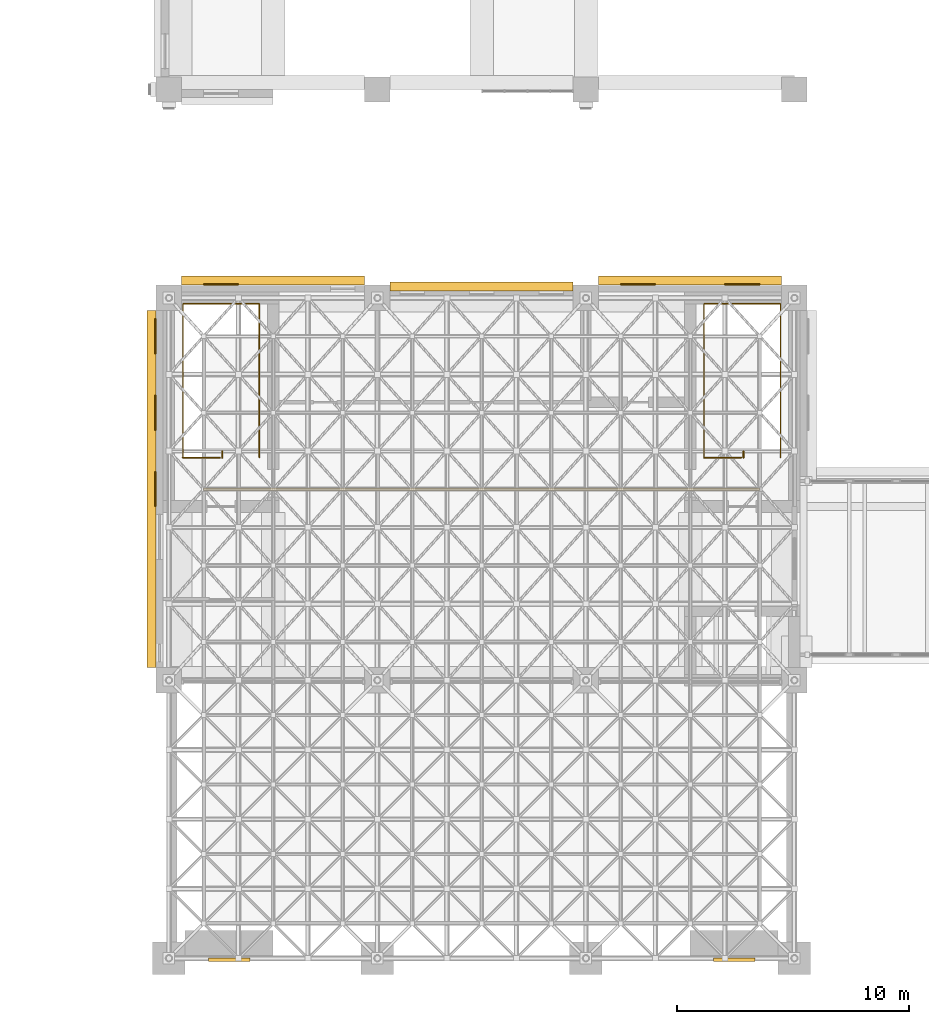
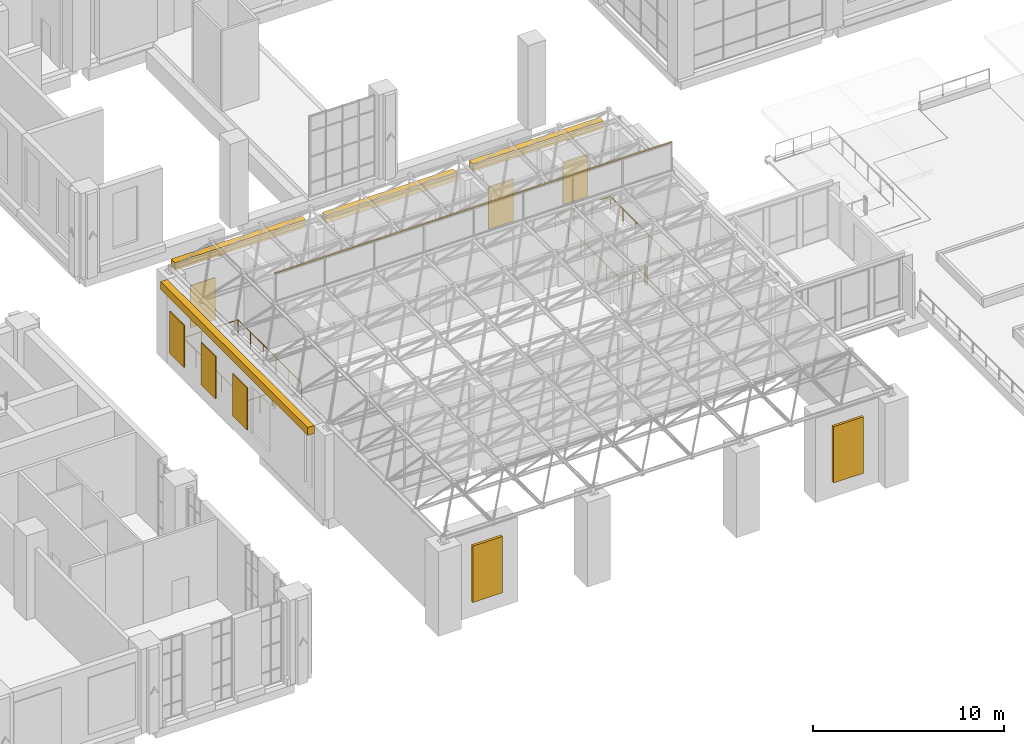
# One storey, part 42 of 53: 13 coverings, 6 railings.
"""IFC4 building model written with IfcOpenShell, lengths in metres."""

import ifcopenshell
import ifcopenshell.guid

model = None  # the IFC model being written
_history = None  # IfcOwnerHistory: only IFC2X3 demands one
_inside = {}  # id of a spatial element -> (the spatial element, [elements in it])
_under = {}  # id of a project, library or spatial element -> (it, [spatial elements below it])
_declared = {}  # id of a project -> (the project, [libraries it declares])
_typed = {}  # id of a type object -> (the type object, [elements of that type])
_made_of = {}  # id of a material, layer set ... -> (it, [elements and type objects made of it])


def new_model(schema):
    """Start an empty IFC model of exactly this schema.

    Asked for "IFC4X3", IfcOpenShell would pick the latest addendum, in which some entities
    have other attributes; the version numbers below select the first issue.
    IFC2X3 requires an IfcOwnerHistory on every rooted entity: one is made here for all.
    """
    global model, _history
    if schema == "IFC4X3":
        model = ifcopenshell.file(schema_version=(4, 3, 0, 0))
    else:
        model = ifcopenshell.file(schema=schema)
    _inside.clear()
    _under.clear()
    _declared.clear()
    _typed.clear()
    _made_of.clear()
    _history = None
    if model.schema == "IFC2X3":
        org = make("IfcOrganization", Name="unknown")
        user = make(
            "IfcPersonAndOrganization",
            ThePerson=make("IfcPerson", FamilyName="unknown"),
            TheOrganization=org,
        )
        app = make(
            "IfcApplication",
            ApplicationDeveloper=org,
            Version="unknown",
            ApplicationFullName="unknown",
            ApplicationIdentifier="unknown",
        )
        _history = make(
            "IfcOwnerHistory",
            OwningUser=user,
            OwningApplication=app,
            ChangeAction="ADDED",
            CreationDate=0,
        )
    return model


def make(cls, **values):
    """One entity of the class cls with the attributes given. An attribute that is None is left unset."""
    return model.create_entity(
        cls, **{name: value for name, value in values.items() if value is not None}
    )


def rooted(cls, **values):
    """An entity with a GlobalId (a new one), such as an element, a storey or a relation."""
    return make(cls, GlobalId=ifcopenshell.guid.new(), OwnerHistory=_history, **values)


def si_unit(unit_type, name, prefix=None):
    """IfcSIUnit, for example si_unit("LENGTHUNIT", "METRE", prefix="MILLI")."""
    return make("IfcSIUnit", UnitType=unit_type, Prefix=prefix, Name=name)


def assignment(units):
    """IfcUnitAssignment: the units of a project."""
    return None if units is None else make("IfcUnitAssignment", Units=units)


def point(xyz):
    """IfcCartesianPoint."""
    return None if xyz is None else make("IfcCartesianPoint", Coordinates=xyz)


def direction(xyz):
    """IfcDirection."""
    return None if xyz is None else make("IfcDirection", DirectionRatios=xyz)


def frame(location, z_axis=None, x_axis=None):
    """IfcAxis2Placement3D, a coordinate frame: its origin and axes. An axis left out is left unset."""
    return make(
        "IfcAxis2Placement3D",
        Location=point(location),
        Axis=direction(z_axis),
        RefDirection=direction(x_axis),
    )


def frame_2d(location, x_axis=None):
    """IfcAxis2Placement2D, a coordinate frame in the plane: its origin and x axis."""
    return make(
        "IfcAxis2Placement2D", Location=point(location), RefDirection=direction(x_axis)
    )


def origin():
    """The frame at (0, 0, 0) with its axes left unset."""
    return frame((0.0, 0.0, 0.0))


def origin_2d():
    """The frame at (0, 0) in the plane with its x axis left unset."""
    return frame_2d((0.0, 0.0))


def place(relative_to, where):
    """IfcLocalPlacement: puts the frame where relative to a parent placement (None: the world)."""
    return make(
        "IfcLocalPlacement", PlacementRelTo=relative_to, RelativePlacement=where
    )


def context(
    kind, dimensions, precision=None, world=None, true_north=None, identifier=None
):
    """IfcGeometricRepresentationContext, for example the 3D "Model" context."""
    return make(
        "IfcGeometricRepresentationContext",
        ContextIdentifier=identifier,
        ContextType=kind,
        CoordinateSpaceDimension=dimensions,
        Precision=precision,
        WorldCoordinateSystem=world,
        TrueNorth=true_north,
    )


def subcontext(parent, identifier, kind, view, scale=None):
    """IfcGeometricRepresentationSubContext, for example "Body" below "Model"."""
    return make(
        "IfcGeometricRepresentationSubContext",
        ContextIdentifier=identifier,
        ContextType=kind,
        ParentContext=parent,
        TargetScale=scale,
        TargetView=view,
    )


def project(units=None, contexts=None):
    """IfcProject with its units and contexts."""
    return rooted(
        "IfcProject",
        Name="project",
        RepresentationContexts=contexts,
        UnitsInContext=assignment(units),
    )


def spatial(cls, under=None, at=None, **own):
    """A site, building, storey or space (cls), placed at a placement, below another one or the project."""
    s = rooted(cls, ObjectPlacement=at, **own)
    if under is not None:
        _under.setdefault(under.id(), (under, []))[1].append(s)
    return s


def profile(cls, at=None, kind="AREA", **sizes):
    """A parametric profile (cls). Its sizes go by their IFC names, for example OverallWidth=200.0."""
    return make(cls, ProfileType=kind, Position=at, **sizes)


def rectangle(**sizes):
    """IfcRectangleProfileDef."""
    return profile("IfcRectangleProfileDef", **sizes)


def circle(**sizes):
    """IfcCircleProfileDef."""
    return profile("IfcCircleProfileDef", **sizes)


def extrude(swept, where, along, depth):
    """IfcExtrudedAreaSolid: the profile swept, set in the frame where, extruded along a direction by depth."""
    return make(
        "IfcExtrudedAreaSolid",
        SweptArea=swept,
        Position=where,
        ExtrudedDirection=direction(along),
        Depth=depth,
    )


def shape(context_of_items, identifier, shape_type, items):
    """IfcShapeRepresentation: the items that make up one representation, for example the "Body"."""
    return make(
        "IfcShapeRepresentation",
        ContextOfItems=context_of_items,
        RepresentationIdentifier=identifier,
        RepresentationType=shape_type,
        Items=items,
    )


def material(Name=None, Category=None):
    """IfcMaterial."""
    return make("IfcMaterial", Name=Name, Category=Category)


def layer(
    of_material, thickness, ventilated=None, Name=None, Category=None, Priority=None
):
    """IfcMaterialLayer: one layer of a wall or slab, of a material (None: an air gap)."""
    return make(
        "IfcMaterialLayer",
        Material=of_material,
        LayerThickness=thickness,
        IsVentilated=ventilated,
        Name=Name,
        Category=Category,
        Priority=Priority,
    )


def layer_set(layers, Name=None):
    """IfcMaterialLayerSet."""
    return make("IfcMaterialLayerSet", MaterialLayers=layers, LayerSetName=Name)


def made_of(thing, what):
    """Note that an element or type object is made of a material, layer set ...; save() writes the relation."""
    if what is not None:
        _made_of.setdefault(what.id(), (what, []))[1].append(thing)
    return thing


def type_object(cls, material=None, **own):
    """A type object (cls), such as IfcWallType, which elements share."""
    return made_of(rooted(cls, **own), material)


def element(
    cls,
    number,
    at=None,
    inside=None,
    cuts=None,
    type_object=None,
    material=None,
    context=None,
    identifier="Body",
    shape_type=None,
    held_by="IfcProductDefinitionShape",
    body=None,
    shapes=None,
    **own,
):
    """One element of the class cls, such as IfcWall. Its Tag is "e" and its number.

    at: its placement. inside: the storey or other place that contains it. cuts: it is an
    opening in that element (IfcRelVoidsElement). A single representation is given by context,
    identifier, shape_type and body (its items); several are given by shapes. held_by: the class
    of the entity that holds the representations. save() writes the other relations.
    """
    e = rooted(cls, Tag="e%d" % number, ObjectPlacement=at, **own)
    if body is not None:
        shapes = [shape(context, identifier, shape_type, body)]
    if shapes is not None:
        e.Representation = make(held_by, Representations=shapes)
    if inside is not None:
        _inside.setdefault(inside.id(), (inside, []))[1].append(e)
    if cuts is not None:
        rooted(
            "IfcRelVoidsElement", RelatingBuildingElement=cuts, RelatedOpeningElement=e
        )
    if type_object is not None:
        _typed.setdefault(type_object.id(), (type_object, []))[1].append(e)
    return made_of(e, material)


def aggregate(whole, parts):
    """IfcRelAggregates: a whole, such as a stair, and the parts it consists of."""
    return rooted("IfcRelAggregates", RelatingObject=whole, RelatedObjects=parts)


def save(model, path):
    """Write the relations noted so far, then the file.

    IfcRelAggregates (storeys below a building ...), IfcRelContainedInSpatialStructure (elements
    in a storey), IfcRelDefinesByType, IfcRelAssociatesMaterial and IfcRelDeclares: one each for
    every whole, place, type object, material and project.
    """
    for whole, parts in _under.values():
        aggregate(whole, parts)
    for where, things in _inside.values():
        rooted(
            "IfcRelContainedInSpatialStructure",
            RelatedElements=things,
            RelatingStructure=where,
        )
    for kind, things in _typed.values():
        rooted("IfcRelDefinesByType", RelatedObjects=things, RelatingType=kind)
    for what, things in _made_of.values():
        rooted("IfcRelAssociatesMaterial", RelatedObjects=things, RelatingMaterial=what)
    for by, libraries in _declared.values():
        rooted("IfcRelDeclares", RelatingContext=by, RelatedDefinitions=libraries)
    model.write(path)


model = new_model("IFC4")

# Units and contexts
model_context = context("Model", 3, precision=1e-05, world=origin(), true_north=direction((0.0, 1.0)))
body_context = subcontext(model_context, "Body", "Model", "MODEL_VIEW")
ifc_project = project(units=[si_unit("LENGTHUNIT", "METRE"), si_unit("AREAUNIT", "SQUARE_METRE"), si_unit("VOLUMEUNIT", "CUBIC_METRE"), si_unit("PLANEANGLEUNIT", "RADIAN"), si_unit("MASSUNIT", "GRAM", prefix="KILO")], contexts=[model_context])

# Site, building, storey
site_placement = place(None, origin())
site = spatial("IfcSite", under=ifc_project, at=site_placement, CompositionType="ELEMENT")
building_placement = place(site_placement, origin())
building = spatial("IfcBuilding", under=site, at=building_placement, Name="Aurelan Courthouse", CompositionType="ELEMENT")
storey_placement = place(building_placement, frame((0.0, 0.0, 12.0)))
storey = spatial("IfcBuildingStorey", under=building, at=storey_placement, Name="L02", CompositionType="ELEMENT", Elevation=12.0)

# Coverings
ifc_material_1 = material(Name="Bronze sheet cladding")
ifc_layer_1 = layer(ifc_material_1, 0.06005859375)
ifc_layer_set_1 = layer_set([ifc_layer_1], Name="Bronze sheet cladding")
covering_type_1 = type_object("IfcCoveringType", Name="Ceremonial Court blind bay 1500 x 2700", PredefinedType="CLADDING", material=ifc_layer_set_1)
for number, where, z_axis, x_axis, name in (
    (1, (38.25, 29.080078125, 0.89990234375), (0.0, 0.0, 1.0), (1.0, 0.0, 0.0), "Blind bay BB-V1-L02-001"),
    (2, (56.25, 29.080078125, 0.89990234375), (0.0, 0.0, 1.0), (1.0, 0.0, 0.0), "Blind bay BB-V1-L02-002"),
    (3, (60.75, 29.080078125, 0.89990234375), (0.0, 0.0, 1.0), (1.0, 0.0, 0.0), "Blind bay BB-V1-L02-003"),
):
    element("IfcCovering", number, at=place(storey_placement, frame(where, z_axis=z_axis, x_axis=x_axis)), inside=storey, type_object=covering_type_1, Name=name, PredefinedType="CLADDING", context=body_context, shape_type="SweptSolid", body=[
        extrude(rectangle(XDim=1.5, YDim=0.06005859375, at=origin_2d()), origin(), (0.0, 0.0, 1.0), 2.699951171875),
    ])
for number, where, z_axis, x_axis, name in (
    (4, (35.419921875, 20.25, 0.89990234375), (0.0, 0.0, 1.0), (1.0, 0.0, 0.0), "Blind bay BB-V1-L02-006"),
    (5, (35.419921875, 23.550048828125, 0.89990234375), (0.0, 0.0, 1.0), (1.0, 0.0, 0.0), "Blind bay BB-V1-L02-007"),
    (6, (35.419921875, 26.85009765625, 0.89990234375), (0.0, 0.0, 1.0), (1.0, 0.0, 0.0), "Blind bay BB-V1-L02-008"),
):
    element("IfcCovering", number, at=place(storey_placement, frame(where, z_axis=z_axis, x_axis=x_axis)), inside=storey, type_object=covering_type_1, Name=name, PredefinedType="CLADDING", context=body_context, shape_type="SweptSolid", body=[
        extrude(rectangle(XDim=0.06005859375, YDim=1.5, at=origin_2d()), origin(), (0.0, 0.0, 1.0), 2.699951171875),
    ])
ifc_material_2 = material(Name="Limestone cladding", Category="masonry")
covering_type_2 = type_object("IfcCoveringType", Name="Ceremonial Court cornice 500 x 400", PredefinedType="CLADDING", material=ifc_material_2)
covering_1_placement = place(storey_placement, frame((35.25, 20.25, 4.89990234375), z_axis=(0.0, 0.0, 1.0), x_axis=(1.0, 0.0, 0.0)))
element("IfcCovering", 7, at=covering_1_placement, inside=storey, type_object=covering_type_2, Name="Cornice CRN-V1-001", PredefinedType="CLADDING", context=body_context, shape_type="SweptSolid", body=[
    extrude(rectangle(XDim=0.39990234375, YDim=15.39990234375, at=origin_2d()), origin(), (0.0, 0.0, 1.0), 0.5),
])
for number, where, z_axis, x_axis, name in (
    (8, (49.5, 29.0, 4.89990234375), (0.0, 0.0, 1.0), (1.0, 0.0, 0.0), "Cornice CRN-V1-003"),
    (9, (40.5, 29.25, 4.89990234375), (0.0, 0.0, 1.0), (1.0, 0.0, 0.0), "Cornice CRN-V1-004"),
    (10, (58.5, 29.25, 4.89990234375), (0.0, 0.0, 1.0), (1.0, 0.0, 0.0), "Cornice CRN-V1-005"),
):
    element("IfcCovering", number, at=place(storey_placement, frame(where, z_axis=z_axis, x_axis=x_axis)), inside=storey, type_object=covering_type_2, Name=name, PredefinedType="CLADDING", context=body_context, shape_type="SweptSolid", body=[
        extrude(rectangle(XDim=7.89990234375, YDim=0.39990234375, at=origin_2d()), origin(), (0.0, 0.0, 1.0), 0.5),
    ])
ifc_layer_2 = layer(ifc_material_1, 0.050048828125)
ifc_layer_set_2 = layer_set([ifc_layer_2], Name="Bronze sheet cladding")
covering_type_3 = type_object("IfcCoveringType", Name="North light head cap 150 x 50", PredefinedType="CLADDING", material=ifc_layer_set_2)
covering_2_placement = place(storey_placement, frame((49.5, 20.25, 9.7197265625), z_axis=(0.0, 0.0, 1.0), x_axis=(1.0, 0.0, 0.0)))
element("IfcCovering", 11, at=covering_2_placement, inside=storey, type_object=covering_type_3, Name="North light head cap", PredefinedType="CLADDING", context=body_context, shape_type="SweptSolid", body=[
    extrude(rectangle(XDim=24.0, YDim=0.10009765625, at=origin_2d()), origin(), (0.0, 0.0, 1.0), 0.050048828125),
])
ifc_layer_3 = layer(ifc_material_1, 0.14990234375)
ifc_layer_set_3 = layer_set([ifc_layer_3], Name="Bronze sheet cladding")
covering_type_4 = type_object("IfcCoveringType", Name="Relief panel 1800 x 3600 x 150", PredefinedType="CLADDING", material=ifc_layer_set_3)
for number, where, z_axis, x_axis, name in (
    (12, (38.60009765625, -0.074951171875, 1.0), (0.0, 0.0, 1.0), (1.0, 0.0, 0.0), "Relief panel RP-V1-005"),
    (13, (60.39990234375, -0.074951171875, 1.0), (0.0, 0.0, 1.0), (1.0, 0.0, 0.0), "Relief panel RP-V1-006"),
):
    element("IfcCovering", number, at=place(storey_placement, frame(where, z_axis=z_axis, x_axis=x_axis)), inside=storey, type_object=covering_type_4, Name=name, PredefinedType="CLADDING", context=body_context, shape_type="SweptSolid", body=[
        extrude(rectangle(XDim=1.800048828125, YDim=0.14990234375, at=origin_2d()), origin(), (0.0, 0.0, 1.0), 3.60009765625),
    ])

# Railings
ifc_material_3 = material(Name="Steel S355", Category="steel")
railing_type = type_object("IfcRailingType", Name="Stair guard 1100", PredefinedType="GUARDRAIL", material=ifc_material_3)
railing_1_placement = place(storey_placement, frame((60.699951171875, 21.610107421875, 0.0)))
element("IfcRailing", 14, at=railing_1_placement, inside=storey, type_object=railing_type, Name="Guard ST-1E-L02-G1", PredefinedType="GUARDRAIL", context=body_context, shape_type="SweptSolid", body=[
    extrude(circle(Radius=0.02392578125, at=origin_2d()), frame((0.0, 0.0, 1.076171875), z_axis=(-1.0, 0.0, 0.0), x_axis=(0.0, -1.0, 0.0)), (0.0, 0.0, 1.0), 1.599853515625),
    extrude(circle(Radius=0.02099609375, at=origin_2d()), origin(), (0.0, 0.0, 1.0), 1.052001953125),
    extrude(circle(Radius=0.02099609375, at=origin_2d()), frame((-0.7998046875, 0.0, 0.0)), (0.0, 0.0, 1.0), 1.052001953125),
    extrude(circle(Radius=0.02099609375, at=origin_2d()), frame((-1.599853515625, 0.0, 0.0)), (0.0, 0.0, 1.0), 1.052001953125),
])
railing_2_placement = place(storey_placement, frame((59.10009765625, 21.610107421875, 0.0)))
element("IfcRailing", 15, at=railing_2_placement, inside=storey, type_object=railing_type, Name="Guard ST-1E-L02-G2", PredefinedType="GUARDRAIL", context=body_context, shape_type="SweptSolid", body=[
    extrude(circle(Radius=0.02392578125, at=origin_2d()), frame((0.0, 0.0, 1.076171875), z_axis=(0.0, 1.0, 0.0), x_axis=(-1.0, 0.0, 0.0)), (0.0, 0.0, 1.0), 6.639892578125),
    extrude(circle(Radius=0.02392578125, at=origin_2d()), frame((0.0, 6.639892578125, 1.076171875), z_axis=(1.0, 0.0, 0.0), x_axis=(0.0, 1.0, 0.0)), (0.0, 0.0, 1.0), 3.2998046875),
    extrude(circle(Radius=0.02392578125, at=origin_2d()), frame((3.2998046875, 6.639892578125, 1.076171875), z_axis=(0.0, -1.0, 0.0), x_axis=(1.0, 0.0, 0.0)), (0.0, 0.0, 1.0), 6.639892578125),
    extrude(circle(Radius=0.02099609375, at=origin_2d()), origin(), (0.0, 0.0, 1.0), 1.052001953125),
    extrude(circle(Radius=0.02099609375, at=origin_2d()), frame((0.0, 1.327880859375, 0.0)), (0.0, 0.0, 1.0), 1.052001953125),
    extrude(circle(Radius=0.02099609375, at=origin_2d()), frame((0.0, 2.656005859375, 0.0)), (0.0, 0.0, 1.0), 1.052001953125),
    extrude(circle(Radius=0.02099609375, at=origin_2d()), frame((0.0, 3.98388671875, 0.0)), (0.0, 0.0, 1.0), 1.052001953125),
    extrude(circle(Radius=0.02099609375, at=origin_2d()), frame((0.0, 5.31201171875, 0.0)), (0.0, 0.0, 1.0), 1.052001953125),
    extrude(circle(Radius=0.02099609375, at=origin_2d()), frame((0.0, 6.639892578125, 0.0)), (0.0, 0.0, 1.0), 1.052001953125),
    extrude(circle(Radius=0.02099609375, at=origin_2d()), frame((1.099853515625, 6.639892578125, 0.0)), (0.0, 0.0, 1.0), 1.052001953125),
    extrude(circle(Radius=0.02099609375, at=origin_2d()), frame((2.199951171875, 6.639892578125, 0.0)), (0.0, 0.0, 1.0), 1.052001953125),
    extrude(circle(Radius=0.02099609375, at=origin_2d()), frame((3.2998046875, 6.639892578125, 0.0)), (0.0, 0.0, 1.0), 1.052001953125),
    extrude(circle(Radius=0.02099609375, at=origin_2d()), frame((3.2998046875, 5.31201171875, 0.0)), (0.0, 0.0, 1.0), 1.052001953125),
    extrude(circle(Radius=0.02099609375, at=origin_2d()), frame((3.2998046875, 3.98388671875, 0.0)), (0.0, 0.0, 1.0), 1.052001953125),
    extrude(circle(Radius=0.02099609375, at=origin_2d()), frame((3.2998046875, 2.656005859375, 0.0)), (0.0, 0.0, 1.0), 1.052001953125),
    extrude(circle(Radius=0.02099609375, at=origin_2d()), frame((3.2998046875, 1.327880859375, 0.0)), (0.0, 0.0, 1.0), 1.052001953125),
    extrude(circle(Radius=0.02099609375, at=origin_2d()), frame((3.2998046875, 0.0, 0.0)), (0.0, 0.0, 1.0), 1.052001953125),
])
railing_3_placement = place(storey_placement, frame((60.800048828125, 21.610107421875, 0.0)))
element("IfcRailing", 16, at=railing_3_placement, inside=storey, type_object=railing_type, Name="Guard ST-1E-L02-G3", PredefinedType="GUARDRAIL", context=body_context, shape_type="SweptSolid", body=[
    extrude(circle(Radius=0.02392578125, at=origin_2d()), frame((0.0, 0.0, 1.076171875), z_axis=(0.0, 1.0, 0.0), x_axis=(-1.0, 0.0, 0.0)), (0.0, 0.0, 1.0), 0.27978515625),
    extrude(circle(Radius=0.02099609375, at=origin_2d()), origin(), (0.0, 0.0, 1.0), 1.052001953125),
    extrude(circle(Radius=0.02099609375, at=origin_2d()), frame((0.0, 0.27978515625, 0.0)), (0.0, 0.0, 1.0), 1.052001953125),
])
railing_4_placement = place(storey_placement, frame((38.199951171875, 21.610107421875, 0.0)))
element("IfcRailing", 17, at=railing_4_placement, inside=storey, type_object=railing_type, Name="Guard ST-1W-L02-G1", PredefinedType="GUARDRAIL", context=body_context, shape_type="SweptSolid", body=[
    extrude(circle(Radius=0.02392578125, at=origin_2d()), frame((0.0, 0.0, 1.076171875), z_axis=(-1.0, 0.0, 0.0), x_axis=(0.0, -1.0, 0.0)), (0.0, 0.0, 1.0), 1.599853515625),
    extrude(circle(Radius=0.02099609375, at=origin_2d()), origin(), (0.0, 0.0, 1.0), 1.052001953125),
    extrude(circle(Radius=0.02099609375, at=origin_2d()), frame((-0.7998046875, 0.0, 0.0)), (0.0, 0.0, 1.0), 1.052001953125),
    extrude(circle(Radius=0.02099609375, at=origin_2d()), frame((-1.599853515625, 0.0, 0.0)), (0.0, 0.0, 1.0), 1.052001953125),
])
railing_5_placement = place(storey_placement, frame((36.60009765625, 21.610107421875, 0.0)))
element("IfcRailing", 18, at=railing_5_placement, inside=storey, type_object=railing_type, Name="Guard ST-1W-L02-G2", PredefinedType="GUARDRAIL", context=body_context, shape_type="SweptSolid", body=[
    extrude(circle(Radius=0.02392578125, at=origin_2d()), frame((0.0, 0.0, 1.076171875), z_axis=(0.0, 1.0, 0.0), x_axis=(-1.0, 0.0, 0.0)), (0.0, 0.0, 1.0), 6.639892578125),
    extrude(circle(Radius=0.02392578125, at=origin_2d()), frame((0.0, 6.639892578125, 1.076171875), z_axis=(1.0, 0.0, 0.0), x_axis=(0.0, 1.0, 0.0)), (0.0, 0.0, 1.0), 3.2998046875),
    extrude(circle(Radius=0.02392578125, at=origin_2d()), frame((3.2998046875, 6.639892578125, 1.076171875), z_axis=(0.0, -1.0, 0.0), x_axis=(1.0, 0.0, 0.0)), (0.0, 0.0, 1.0), 6.639892578125),
    extrude(circle(Radius=0.02099609375, at=origin_2d()), origin(), (0.0, 0.0, 1.0), 1.052001953125),
    extrude(circle(Radius=0.02099609375, at=origin_2d()), frame((0.0, 1.327880859375, 0.0)), (0.0, 0.0, 1.0), 1.052001953125),
    extrude(circle(Radius=0.02099609375, at=origin_2d()), frame((0.0, 2.656005859375, 0.0)), (0.0, 0.0, 1.0), 1.052001953125),
    extrude(circle(Radius=0.02099609375, at=origin_2d()), frame((0.0, 3.98388671875, 0.0)), (0.0, 0.0, 1.0), 1.052001953125),
    extrude(circle(Radius=0.02099609375, at=origin_2d()), frame((0.0, 5.31201171875, 0.0)), (0.0, 0.0, 1.0), 1.052001953125),
    extrude(circle(Radius=0.02099609375, at=origin_2d()), frame((0.0, 6.639892578125, 0.0)), (0.0, 0.0, 1.0), 1.052001953125),
    extrude(circle(Radius=0.02099609375, at=origin_2d()), frame((1.099853515625, 6.639892578125, 0.0)), (0.0, 0.0, 1.0), 1.052001953125),
    extrude(circle(Radius=0.02099609375, at=origin_2d()), frame((2.199951171875, 6.639892578125, 0.0)), (0.0, 0.0, 1.0), 1.052001953125),
    extrude(circle(Radius=0.02099609375, at=origin_2d()), frame((3.2998046875, 6.639892578125, 0.0)), (0.0, 0.0, 1.0), 1.052001953125),
    extrude(circle(Radius=0.02099609375, at=origin_2d()), frame((3.2998046875, 5.31201171875, 0.0)), (0.0, 0.0, 1.0), 1.052001953125),
    extrude(circle(Radius=0.02099609375, at=origin_2d()), frame((3.2998046875, 3.98388671875, 0.0)), (0.0, 0.0, 1.0), 1.052001953125),
    extrude(circle(Radius=0.02099609375, at=origin_2d()), frame((3.2998046875, 2.656005859375, 0.0)), (0.0, 0.0, 1.0), 1.052001953125),
    extrude(circle(Radius=0.02099609375, at=origin_2d()), frame((3.2998046875, 1.327880859375, 0.0)), (0.0, 0.0, 1.0), 1.052001953125),
    extrude(circle(Radius=0.02099609375, at=origin_2d()), frame((3.2998046875, 0.0, 0.0)), (0.0, 0.0, 1.0), 1.052001953125),
])
railing_6_placement = place(storey_placement, frame((38.300048828125, 21.610107421875, 0.0)))
element("IfcRailing", 19, at=railing_6_placement, inside=storey, type_object=railing_type, Name="Guard ST-1W-L02-G3", PredefinedType="GUARDRAIL", context=body_context, shape_type="SweptSolid", body=[
    extrude(circle(Radius=0.02392578125, at=origin_2d()), frame((0.0, 0.0, 1.076171875), z_axis=(0.0, 1.0, 0.0), x_axis=(-1.0, 0.0, 0.0)), (0.0, 0.0, 1.0), 0.27978515625),
    extrude(circle(Radius=0.02099609375, at=origin_2d()), origin(), (0.0, 0.0, 1.0), 1.052001953125),
    extrude(circle(Radius=0.02099609375, at=origin_2d()), frame((0.0, 0.27978515625, 0.0)), (0.0, 0.0, 1.0), 1.052001953125),
])

save(model, "model.ifc")
